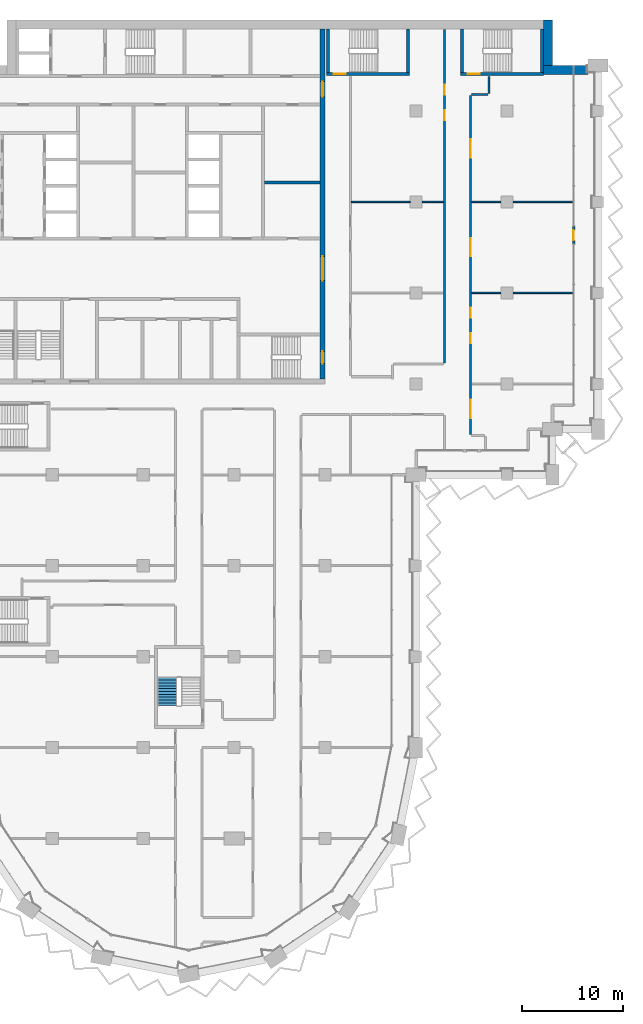
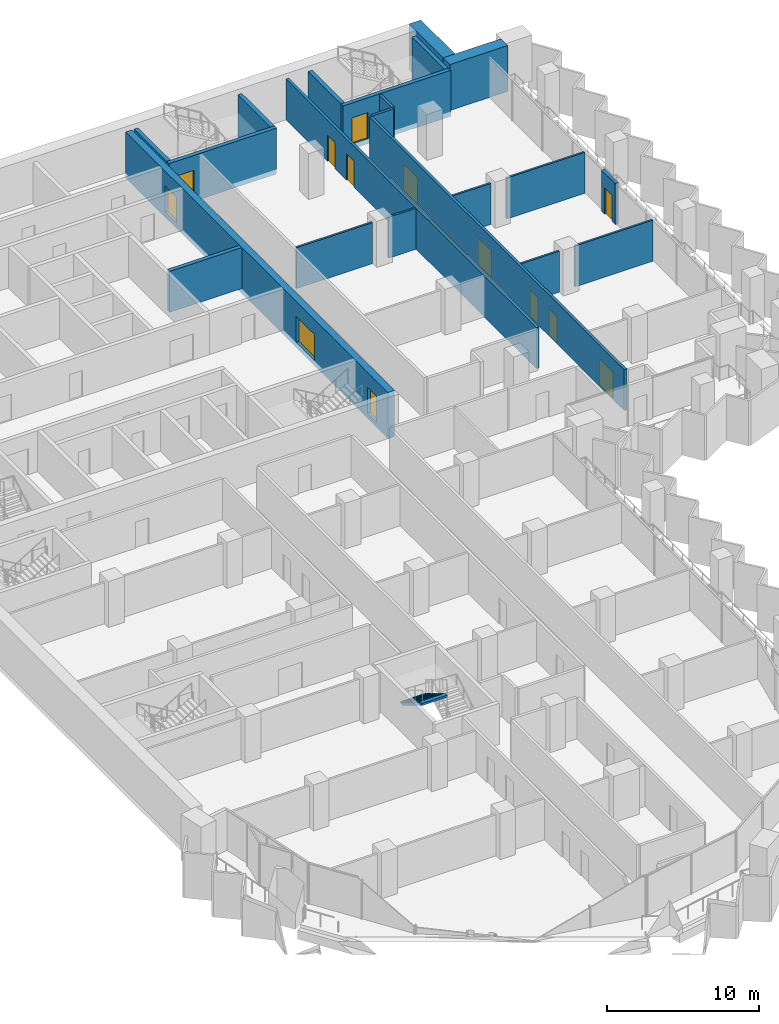
# One storey, part 15 of 23: 21 walls, 13 doors, 1 stair flight, 13 openings, 1 element without a shape of its own.
"""IFC4 building model written with IfcOpenShell, lengths in metres."""

from ifc_helpers import new_model, si_unit, direction, frame, frame_2d, origin, place, context, subcontext, project, spatial, polyline, rectangle, outline, extrude, material, layer, layer_set, type_object, element, fill, aggregate, save


model = new_model("IFC4")

# Units and contexts
model_context = context("Model", 3, precision=1e-05, world=origin(), true_north=direction((0.0, 1.0)))
body_context = subcontext(model_context, "Body", "Model", "MODEL_VIEW")
ifc_project = project(units=[si_unit("LENGTHUNIT", "METRE"), si_unit("AREAUNIT", "SQUARE_METRE"), si_unit("VOLUMEUNIT", "CUBIC_METRE"), si_unit("PLANEANGLEUNIT", "RADIAN"), si_unit("MASSUNIT", "GRAM", prefix="KILO")], contexts=[model_context])

# Site, building, storey
site_placement = place(None, origin())
site = spatial("IfcSite", under=ifc_project, at=site_placement, CompositionType="ELEMENT")
building_placement = place(site_placement, origin())
building = spatial("IfcBuilding", under=site, at=building_placement, Name="Hunhe Ridgeline Campus", CompositionType="ELEMENT")
storey_placement = place(building_placement, frame((0.0, 0.0, 167.10009765625)))
storey = spatial("IfcBuildingStorey", under=building, at=storey_placement, Name="L42", CompositionType="ELEMENT", Elevation=167.10009765625)

# Wall
ifc_material_1 = material(Name="Masonry concrete blockwork", Category="masonry")
ifc_layer_1 = layer(ifc_material_1, 0.300048828125)
ifc_layer_set_1 = layer_set([ifc_layer_1], Name="Core room partition 300 concrete block")
wall_type_1 = type_object("IfcWallType", Name="Core room partition 300 concrete block", PredefinedType="PARTITIONING", material=ifc_layer_set_1)
wall_1_placement = place(storey_placement, frame((30.0, 82.89990234375, 0.0), z_axis=(0.0, 0.0, 1.0), x_axis=(1.0, 0.0, 0.0)))
element("IfcWall", 1, at=wall_1_placement, inside=storey, type_object=wall_type_1, Name="L42 core partition 20", PredefinedType="PARTITIONING", context=body_context, shape_type="SweptSolid", body=[
    extrude(rectangle(XDim=5.5, YDim=0.300048828125, at=frame_2d((2.75, 0.0))), origin(), (0.0, 0.0, 1.0), 3.2998046875),
])

# Wall, openings, doors
ifc_material_2 = material(Name="Concrete C70", Category="concrete")
ifc_layer_2 = layer(ifc_material_2, 0.5)
ifc_layer_set_2 = layer_set([ifc_layer_2], Name="Core wall 500 reinforced concrete C70")
wall_type_2 = type_object("IfcWallType", Name="Core wall 500 reinforced concrete C70", PredefinedType="SOLIDWALL", material=ifc_layer_set_2)
wall_2_placement = place(storey_placement, frame((35.75, 63.5, -0.400146484375), z_axis=(0.0, 0.0, 1.0), x_axis=(0.0, 1.0, 0.0)))
wall_2 = element("IfcWall", 2, at=wall_2_placement, inside=storey, type_object=wall_type_2, Name="L42 core wall 60", PredefinedType="SOLIDWALL", context=body_context, shape_type="SweptSolid", body=[
    extrude(rectangle(XDim=34.60009765625, YDim=0.5, at=frame_2d((17.300048828125, 0.0))), origin(), (0.0, 0.0, 1.0), 3.699951171875),
])
opening_1_placement = place(wall_2_placement, frame((9.699951171875, 0.0, 0.39990234375)))
opening_1 = element("IfcOpeningElement", 3, at=opening_1_placement, cuts=wall_2, Name="Opening CD4", PredefinedType="OPENING", context=body_context, shape_type="SweptSolid", body=[
    extrude(rectangle(XDim=2.39990234375, YDim=2.10009765625, at=frame_2d((1.199951171875, 1.050048828125))), frame((0.0, 0.25, 0.0), z_axis=(0.0, -1.0, 0.0), x_axis=(1.0, 0.0, 0.0)), (0.0, 0.0, 1.0), 0.5),
])
opening_2_placement = place(wall_2_placement, frame((27.89990234375, 0.0, 0.39990234375)))
opening_2 = element("IfcOpeningElement", 4, at=opening_2_placement, cuts=wall_2, Name="Opening CD5", PredefinedType="OPENING", context=body_context, shape_type="SweptSolid", body=[
    extrude(rectangle(XDim=1.5, YDim=2.10009765625, at=frame_2d((0.75, 1.050048828125))), frame((0.0, 0.25, 0.0), z_axis=(0.0, -1.0, 0.0), x_axis=(1.0, 0.0, 0.0)), (0.0, 0.0, 1.0), 0.5),
])
opening_3_placement = place(wall_2_placement, frame((1.5, 0.0, 0.39990234375)))
opening_3 = element("IfcOpeningElement", 5, at=opening_3_placement, cuts=wall_2, Name="Opening CD15", PredefinedType="OPENING", context=body_context, shape_type="SweptSolid", body=[
    extrude(rectangle(XDim=1.199951171875, YDim=2.10009765625, at=frame_2d((0.60009765625, 1.050048828125))), frame((0.0, 0.25, 0.0), z_axis=(0.0, -1.0, 0.0), x_axis=(1.0, 0.0, 0.0)), (0.0, 0.0, 1.0), 0.5),
])
ifc_material_3 = material(Name="Anodised aluminium and glass", Category="aluminium")
door_type_1 = type_object("IfcDoorType", Name="Glazed double door 2400x2100", OperationType="DOUBLE_DOOR_SINGLE_SWING", PredefinedType="DOOR", material=ifc_material_3)
door_1_placement = place(opening_1_placement, frame((2.39990234375, 0.0, 0.0), z_axis=(0.0, 0.0, 1.0), x_axis=(-1.0, 0.0, 0.0)))
door_1 = element("IfcDoor", 6, at=door_1_placement, inside=storey, type_object=door_type_1, Name="L42 door HALL-FLOOR", OperationType="DOUBLE_DOOR_SINGLE_SWING", OverallHeight=2.10009765625, OverallWidth=2.39990234375, PredefinedType="DOOR", context=body_context, shape_type="SweptSolid", body=[
    extrude(rectangle(XDim=2.39990234375, YDim=2.10009765625, at=frame_2d((1.199951171875, 1.050048828125))), frame((0.0, 0.02490234375, 0.0), z_axis=(0.0, -1.0, 0.0), x_axis=(1.0, 0.0, 0.0)), (0.0, 0.0, 1.0), 0.050048828125),
])
fill(opening_1, door_1)
ifc_material_4 = material(Name="Hollow metal fire door leaf")
door_type_2 = type_object("IfcDoorType", Name="Stair door 1200x2100 FD60", OperationType="SINGLE_SWING_LEFT", PredefinedType="DOOR", material=ifc_material_4)
door_2_placement = place(opening_3_placement, frame((1.199951171875, 0.0, 0.0), z_axis=(0.0, 0.0, 1.0), x_axis=(-1.0, 0.0, 0.0)))
door_2 = element("IfcDoor", 7, at=door_2_placement, inside=storey, type_object=door_type_2, Name="L42 door S2-FLOOR", OperationType="SINGLE_SWING_RIGHT", OverallHeight=2.10009765625, OverallWidth=1.199951171875, PredefinedType="DOOR", context=body_context, shape_type="SweptSolid", body=[
    extrude(rectangle(XDim=1.199951171875, YDim=2.10009765625, at=frame_2d((0.60009765625, 1.050048828125))), frame((0.0, 0.02490234375, 0.0), z_axis=(0.0, -1.0, 0.0), x_axis=(1.0, 0.0, 0.0)), (0.0, 0.0, 1.0), 0.050048828125),
])
fill(opening_3, door_2)
ifc_material_5 = material(Name="Solid core timber door leaf", Category="wood")
door_type_3 = type_object("IfcDoorType", Name="Timber door 1500x2100", OperationType="SINGLE_SWING_LEFT", PredefinedType="DOOR", material=ifc_material_5)
door_3_placement = place(opening_2_placement, frame((1.5, 0.0, 0.0), z_axis=(0.0, 0.0, 1.0), x_axis=(-1.0, 0.0, 0.0)))
door_3 = element("IfcDoor", 8, at=door_3_placement, inside=storey, type_object=door_type_3, Name="L42 door C1-FLOOR", OperationType="SINGLE_SWING_RIGHT", OverallHeight=2.10009765625, OverallWidth=1.5, PredefinedType="DOOR", context=body_context, shape_type="SweptSolid", body=[
    extrude(rectangle(XDim=1.5, YDim=2.10009765625, at=frame_2d((0.75, 1.050048828125))), frame((0.0, 0.02490234375, 0.0), z_axis=(0.0, -1.0, 0.0), x_axis=(1.0, 0.0, 0.0)), (0.0, 0.0, 1.0), 0.050048828125),
])
fill(opening_2, door_3)

# Wall
ifc_material_6 = material(Name="Gypsum board partition")
ifc_layer_3 = layer(ifc_material_6, 0.199951171875)
ifc_layer_set_3 = layer_set([ifc_layer_3], Name="Corridor partition 200 gypsum board on steel studs")
wall_type_3 = type_object("IfcWallType", Name="Corridor partition 200 gypsum board on steel studs", PredefinedType="PARTITIONING", material=ifc_layer_set_3)
wall_3_placement = place(storey_placement, frame((52.10009765625, 91.64990234375, 0.0), z_axis=(0.0, 0.0, 1.0), x_axis=(-1.0, 0.0, 0.0)))
element("IfcWall", 9, at=wall_3_placement, inside=storey, type_object=wall_type_3, Name="F-L42-wall-060", PredefinedType="PARTITIONING", context=body_context, shape_type="SweptSolid", body=[
    extrude(rectangle(XDim=1.60009765625, YDim=0.199951171875, at=frame_2d((0.800048828125, 0.0))), origin(), (0.0, 0.0, 1.0), 3.2998046875),
])

# Wall, openings, doors
wall_4_placement = place(storey_placement, frame((47.800048828125, 65.050048828125, 0.0), z_axis=(0.0, 0.0, 1.0), x_axis=(0.0, 1.0, 0.0)))
wall_4 = element("IfcWall", 10, at=wall_4_placement, inside=storey, type_object=wall_type_3, Name="F-L42-wall-077", PredefinedType="PARTITIONING", context=body_context, shape_type="SweptSolid", body=[
    extrude(rectangle(XDim=33.030029296875, YDim=0.199951171875, at=frame_2d((16.51513671875, 0.0))), origin(), (0.0, 0.0, 1.0), 3.2998046875),
])
opening_4_placement = place(wall_4_placement, frame((24.0341796875, 0.0, 0.0)))
opening_4 = element("IfcOpeningElement", 11, at=opening_4_placement, cuts=wall_4, Name="Opening RD1-035", PredefinedType="OPENING", context=body_context, shape_type="SweptSolid", body=[
    extrude(rectangle(XDim=1.0, YDim=2.10009765625, at=frame_2d((0.5, 1.050048828125))), frame((0.0, 0.10009765625, 0.0), z_axis=(0.0, -1.0, 0.0), x_axis=(1.0, 0.0, 0.0)), (0.0, 0.0, 1.0), 0.199951171875),
])
opening_5_placement = place(wall_4_placement, frame((26.5341796875, 0.0, 0.0)))
opening_5 = element("IfcOpeningElement", 12, at=opening_5_placement, cuts=wall_4, Name="Opening RD1-036", PredefinedType="OPENING", context=body_context, shape_type="SweptSolid", body=[
    extrude(rectangle(XDim=1.0, YDim=2.10009765625, at=frame_2d((0.5, 1.050048828125))), frame((0.0, 0.10009765625, 0.0), z_axis=(0.0, -1.0, 0.0), x_axis=(1.0, 0.0, 0.0)), (0.0, 0.0, 1.0), 0.199951171875),
])
ifc_material_7 = material(Name="Timber door leaf", Category="wood")
door_type_4 = type_object("IfcDoorType", Name="Single fire door 1000x2100 timber FD60", OperationType="NOTDEFINED", PredefinedType="DOOR", material=ifc_material_7)
door_4_placement = place(opening_4_placement, frame((1.0, 0.0, 0.0), z_axis=(0.0, 0.0, 1.0), x_axis=(-1.0, 0.0, 0.0)))
door_4 = element("IfcDoor", 13, at=door_4_placement, inside=storey, type_object=door_type_4, Name="F-L42-door-035", OperationType="SINGLE_SWING_LEFT", OverallHeight=2.10009765625, OverallWidth=1.0, PredefinedType="DOOR", context=body_context, shape_type="SweptSolid", body=[
    extrude(rectangle(XDim=1.0, YDim=2.10009765625, at=frame_2d((0.5, 1.050048828125))), frame((0.0, 0.02490234375, 0.0), z_axis=(0.0, -1.0, 0.0), x_axis=(1.0, 0.0, 0.0)), (0.0, 0.0, 1.0), 0.050048828125),
])
fill(opening_4, door_4)
door_5_placement = place(opening_5_placement, frame((1.0, 0.0, 0.0), z_axis=(0.0, 0.0, 1.0), x_axis=(-1.0, 0.0, 0.0)))
door_5 = element("IfcDoor", 14, at=door_5_placement, inside=storey, type_object=door_type_4, Name="F-L42-door-036", OperationType="SINGLE_SWING_LEFT", OverallHeight=2.10009765625, OverallWidth=1.0, PredefinedType="DOOR", context=body_context, shape_type="SweptSolid", body=[
    extrude(rectangle(XDim=1.0, YDim=2.10009765625, at=frame_2d((0.5, 1.050048828125))), frame((0.0, 0.02490234375, 0.0), z_axis=(0.0, -1.0, 0.0), x_axis=(1.0, 0.0, 0.0)), (0.0, 0.0, 1.0), 0.050048828125),
])
fill(opening_5, door_5)

wall_5_placement = place(storey_placement, frame((50.39990234375, 91.550048828125, 0.0), z_axis=(0.0, 0.0, 1.0), x_axis=(0.0, -1.0, 0.0)))
wall_5 = element("IfcWall", 15, at=wall_5_placement, inside=storey, type_object=wall_type_3, Name="F-L42-wall-078", PredefinedType="PARTITIONING", context=body_context, shape_type="SweptSolid", body=[
    extrude(rectangle(XDim=33.549072265625, YDim=0.199951171875, at=frame_2d((16.7744140625, 0.0))), origin(), (0.0, 0.0, 1.0), 3.2998046875),
])
opening_6_placement = place(wall_5_placement, frame((30.145263671875, 0.0, 0.0)))
opening_6 = element("IfcOpeningElement", 16, at=opening_6_placement, cuts=wall_5, Name="Opening RD2-026", PredefinedType="OPENING", context=body_context, shape_type="SweptSolid", body=[
    extrude(rectangle(XDim=1.800048828125, YDim=2.10009765625, at=frame_2d((0.89990234375, 1.050048828125))), frame((0.0, 0.10009765625, 0.0), z_axis=(0.0, -1.0, 0.0), x_axis=(1.0, 0.0, 0.0)), (0.0, 0.0, 1.0), 0.199951171875),
])
opening_7_placement = place(wall_5_placement, frame((23.53515625, 0.0, 0.0)))
opening_7 = element("IfcOpeningElement", 17, at=opening_7_placement, cuts=wall_5, Name="Opening RD1-027", PredefinedType="OPENING", context=body_context, shape_type="SweptSolid", body=[
    extrude(rectangle(XDim=1.0, YDim=2.10009765625, at=frame_2d((0.5, 1.050048828125))), frame((0.0, 0.10009765625, 0.0), z_axis=(0.0, -1.0, 0.0), x_axis=(1.0, 0.0, 0.0)), (0.0, 0.0, 1.0), 0.199951171875),
])
opening_8_placement = place(wall_5_placement, frame((21.03515625, 0.0, 0.0)))
opening_8 = element("IfcOpeningElement", 18, at=opening_8_placement, cuts=wall_5, Name="Opening RD1-029", PredefinedType="OPENING", context=body_context, shape_type="SweptSolid", body=[
    extrude(rectangle(XDim=1.0, YDim=2.10009765625, at=frame_2d((0.5, 1.050048828125))), frame((0.0, 0.10009765625, 0.0), z_axis=(0.0, -1.0, 0.0), x_axis=(1.0, 0.0, 0.0)), (0.0, 0.0, 1.0), 0.199951171875),
])
opening_9_placement = place(wall_5_placement, frame((14.121826171875, 0.0, 0.0)))
opening_9 = element("IfcOpeningElement", 19, at=opening_9_placement, cuts=wall_5, Name="Opening RD2-031", PredefinedType="OPENING", context=body_context, shape_type="SweptSolid", body=[
    extrude(rectangle(XDim=1.800048828125, YDim=2.10009765625, at=frame_2d((0.89990234375, 1.050048828125))), frame((0.0, 0.10009765625, 0.0), z_axis=(0.0, -1.0, 0.0), x_axis=(1.0, 0.0, 0.0)), (0.0, 0.0, 1.0), 0.199951171875),
])
opening_10_placement = place(wall_5_placement, frame((4.357666015625, 0.0, 0.0)))
opening_10 = element("IfcOpeningElement", 20, at=opening_10_placement, cuts=wall_5, Name="Opening RD2-034", PredefinedType="OPENING", context=body_context, shape_type="SweptSolid", body=[
    extrude(rectangle(XDim=1.800048828125, YDim=2.10009765625, at=frame_2d((0.89990234375, 1.050048828125))), frame((0.0, 0.10009765625, 0.0), z_axis=(0.0, -1.0, 0.0), x_axis=(1.0, 0.0, 0.0)), (0.0, 0.0, 1.0), 0.199951171875),
])
door_type_5 = type_object("IfcDoorType", Name="Double fire door 1800x2100 timber FD60", OperationType="DOUBLE_DOOR_SINGLE_SWING", PredefinedType="DOOR", material=ifc_material_7)
door_6_placement = place(opening_6_placement, origin())
door_6 = element("IfcDoor", 21, at=door_6_placement, inside=storey, type_object=door_type_5, Name="F-L42-door-026", OperationType="DOUBLE_DOOR_SINGLE_SWING", OverallHeight=2.10009765625, OverallWidth=1.800048828125, PredefinedType="DOOR", context=body_context, shape_type="SweptSolid", body=[
    extrude(rectangle(XDim=1.800048828125, YDim=2.10009765625, at=frame_2d((0.89990234375, 1.050048828125))), frame((0.0, 0.02490234375, 0.0), z_axis=(0.0, -1.0, 0.0), x_axis=(1.0, 0.0, 0.0)), (0.0, 0.0, 1.0), 0.050048828125),
])
fill(opening_6, door_6)
door_7_placement = place(opening_9_placement, origin())
door_7 = element("IfcDoor", 22, at=door_7_placement, inside=storey, type_object=door_type_5, Name="F-L42-door-031", OperationType="DOUBLE_DOOR_SINGLE_SWING", OverallHeight=2.10009765625, OverallWidth=1.800048828125, PredefinedType="DOOR", context=body_context, shape_type="SweptSolid", body=[
    extrude(rectangle(XDim=1.800048828125, YDim=2.10009765625, at=frame_2d((0.89990234375, 1.050048828125))), frame((0.0, 0.02490234375, 0.0), z_axis=(0.0, -1.0, 0.0), x_axis=(1.0, 0.0, 0.0)), (0.0, 0.0, 1.0), 0.050048828125),
])
fill(opening_9, door_7)
door_8_placement = place(opening_10_placement, origin())
door_8 = element("IfcDoor", 23, at=door_8_placement, inside=storey, type_object=door_type_5, Name="F-L42-door-034", OperationType="DOUBLE_DOOR_SINGLE_SWING", OverallHeight=2.10009765625, OverallWidth=1.800048828125, PredefinedType="DOOR", context=body_context, shape_type="SweptSolid", body=[
    extrude(rectangle(XDim=1.800048828125, YDim=2.10009765625, at=frame_2d((0.89990234375, 1.050048828125))), frame((0.0, 0.02490234375, 0.0), z_axis=(0.0, -1.0, 0.0), x_axis=(1.0, 0.0, 0.0)), (0.0, 0.0, 1.0), 0.050048828125),
])
fill(opening_10, door_8)
door_9_placement = place(opening_7_placement, frame((1.0, 0.0, 0.0), z_axis=(0.0, 0.0, 1.0), x_axis=(-1.0, 0.0, 0.0)))
door_9 = element("IfcDoor", 24, at=door_9_placement, inside=storey, type_object=door_type_4, Name="F-L42-door-027", OperationType="SINGLE_SWING_LEFT", OverallHeight=2.10009765625, OverallWidth=1.0, PredefinedType="DOOR", context=body_context, shape_type="SweptSolid", body=[
    extrude(rectangle(XDim=1.0, YDim=2.10009765625, at=frame_2d((0.5, 1.050048828125))), frame((0.0, 0.02490234375, 0.0), z_axis=(0.0, -1.0, 0.0), x_axis=(1.0, 0.0, 0.0)), (0.0, 0.0, 1.0), 0.050048828125),
])
fill(opening_7, door_9)
door_10_placement = place(opening_8_placement, frame((1.0, 0.0, 0.0), z_axis=(0.0, 0.0, 1.0), x_axis=(-1.0, 0.0, 0.0)))
door_10 = element("IfcDoor", 25, at=door_10_placement, inside=storey, type_object=door_type_4, Name="F-L42-door-029", OperationType="SINGLE_SWING_RIGHT", OverallHeight=2.10009765625, OverallWidth=1.0, PredefinedType="DOOR", context=body_context, shape_type="SweptSolid", body=[
    extrude(rectangle(XDim=1.0, YDim=2.10009765625, at=frame_2d((0.5, 1.050048828125))), frame((0.0, 0.02490234375, 0.0), z_axis=(0.0, -1.0, 0.0), x_axis=(1.0, 0.0, 0.0)), (0.0, 0.0, 1.0), 0.050048828125),
])
fill(opening_8, door_10)

# Wall
wall_6_placement = place(storey_placement, frame((52.199951171875, 93.39599609375, 0.0), z_axis=(0.0, 0.0, 1.0), x_axis=(0.0, -1.0, 0.0)))
element("IfcWall", 26, at=wall_6_placement, inside=storey, type_object=wall_type_3, Name="F-L42-wall-080", PredefinedType="PARTITIONING", context=body_context, shape_type="SweptSolid", body=[
    extrude(rectangle(XDim=1.64599609375, YDim=0.199951171875, at=frame_2d((0.822998046875, 0.0))), origin(), (0.0, 0.0, 1.0), 3.2998046875),
])

# Wall, opening, door
ifc_material_8 = material(Name="Concrete C30", Category="concrete")
ifc_layer_4 = layer(ifc_material_8, 0.25)
ifc_layer_set_4 = layer_set([ifc_layer_4], Name="Loggia door pier wall 250 Concrete C30")
wall_type_4 = type_object("IfcWallType", Name="Loggia door pier wall 250 Concrete C30", PredefinedType="SOLIDWALL", material=ifc_layer_set_4)
wall_7_placement = place(storey_placement, frame((60.59912109375, 76.800537109375, 0.0), z_axis=(0.0, 0.0, 1.0), x_axis=(0.0, 1.0, 0.0)))
wall_7 = element("IfcWall", 27, at=wall_7_placement, inside=storey, type_object=wall_type_4, Name="Loggia door pier 4", PredefinedType="SOLIDWALL", context=body_context, shape_type="SweptSolid", body=[
    extrude(rectangle(XDim=1.800048828125, YDim=0.25, at=frame_2d((0.89990234375, 0.0))), origin(), (0.0, 0.0, 1.0), 3.2998046875),
])
opening_11_placement = place(wall_7_placement, frame((0.39990234375, 0.0, 0.0)))
opening_11 = element("IfcOpeningElement", 28, at=opening_11_placement, cuts=wall_7, Name="Opening BD307", PredefinedType="OPENING", context=body_context, shape_type="SweptSolid", body=[
    extrude(rectangle(XDim=1.0, YDim=2.10009765625, at=frame_2d((0.5, 1.050048828125))), frame((0.0, 0.125, 0.0), z_axis=(0.0, -1.0, 0.0), x_axis=(1.0, 0.0, 0.0)), (0.0, 0.0, 1.0), 0.25),
])
ifc_material_9 = material(Name="Aluminium 6063", Category="aluminium")
door_type_6 = type_object("IfcDoorType", Name="Loggia glazed door 1000x2100", OperationType="NOTDEFINED", PredefinedType="DOOR", material=ifc_material_9)
door_11_placement = place(opening_11_placement, frame((1.0, 0.0, 0.0), z_axis=(0.0, 0.0, 1.0), x_axis=(-1.0, 0.0, 0.0)))
door_11 = element("IfcDoor", 29, at=door_11_placement, inside=storey, type_object=door_type_6, Name="Loggia door BD307", OperationType="SINGLE_SWING_RIGHT", OverallHeight=2.10009765625, OverallWidth=1.0, PredefinedType="DOOR", context=body_context, shape_type="SweptSolid", body=[
    extrude(rectangle(XDim=1.0, YDim=2.10009765625, at=frame_2d((0.5, 1.050048828125))), frame((0.0, 0.02490234375, 0.0), z_axis=(0.0, -1.0, 0.0), x_axis=(1.0, 0.0, 0.0)), (0.0, 0.0, 1.0), 0.050048828125),
])
fill(opening_11, door_11)

# Walls
ifc_layer_5 = layer(ifc_material_6, 0.14990234375)
ifc_layer_set_5 = layer_set([ifc_layer_5], Name="Room partition 150 gypsum board on steel studs")
wall_type_5 = type_object("IfcWallType", Name="Room partition 150 gypsum board on steel studs", PredefinedType="PARTITIONING", material=ifc_layer_set_5)
wall_8_placement = place(storey_placement, frame((50.5, 72.0, 0.0), z_axis=(0.0, 0.0, 1.0), x_axis=(1.0, 0.0, 0.0)))
element("IfcWall", 30, at=wall_8_placement, inside=storey, type_object=wall_type_5, Name="F-L42-wall-054", PredefinedType="PARTITIONING", context=body_context, shape_type="SweptSolid", body=[
    extrude(rectangle(XDim=2.89990234375, YDim=0.14990234375, at=frame_2d((1.449951171875, 0.0))), origin(), (0.0, 0.0, 1.0), 3.2998046875),
])
wall_9_placement = place(storey_placement, frame((54.60009765625, 72.0, 0.0), z_axis=(0.0, 0.0, 1.0), x_axis=(1.0, 0.0, 0.0)))
element("IfcWall", 31, at=wall_9_placement, inside=storey, type_object=wall_type_5, Name="F-L42-wall-055", PredefinedType="PARTITIONING", context=body_context, shape_type="SweptSolid", body=[
    extrude(rectangle(XDim=5.94482421875, YDim=0.14990234375, at=frame_2d((2.972412109375, 0.0))), origin(), (0.0, 0.0, 1.0), 3.2998046875),
])
wall_10_placement = place(storey_placement, frame((38.60009765625, 81.0, 0.0), z_axis=(0.0, 0.0, 1.0), x_axis=(1.0, 0.0, 0.0)))
element("IfcWall", 32, at=wall_10_placement, inside=storey, type_object=wall_type_5, Name="F-L42-wall-056", PredefinedType="PARTITIONING", context=body_context, shape_type="SweptSolid", body=[
    extrude(rectangle(XDim=5.7998046875, YDim=0.14990234375, at=frame_2d((2.89990234375, 0.0))), origin(), (0.0, 0.0, 1.0), 3.2998046875),
])
wall_11_placement = place(storey_placement, frame((45.60009765625, 81.0, 0.0), z_axis=(0.0, 0.0, 1.0), x_axis=(1.0, 0.0, 0.0)))
element("IfcWall", 33, at=wall_11_placement, inside=storey, type_object=wall_type_5, Name="F-L42-wall-057", PredefinedType="PARTITIONING", context=body_context, shape_type="SweptSolid", body=[
    extrude(rectangle(XDim=2.099853515625, YDim=0.14990234375, at=frame_2d((1.0498046875, 0.0))), origin(), (0.0, 0.0, 1.0), 3.2998046875),
])
wall_12_placement = place(storey_placement, frame((50.5, 81.0, 0.0), z_axis=(0.0, 0.0, 1.0), x_axis=(1.0, 0.0, 0.0)))
element("IfcWall", 34, at=wall_12_placement, inside=storey, type_object=wall_type_5, Name="F-L42-wall-058", PredefinedType="PARTITIONING", context=body_context, shape_type="SweptSolid", body=[
    extrude(rectangle(XDim=2.89990234375, YDim=0.14990234375, at=frame_2d((1.449951171875, 0.0))), origin(), (0.0, 0.0, 1.0), 3.2998046875),
])
wall_13_placement = place(storey_placement, frame((54.60009765625, 81.0, 0.0), z_axis=(0.0, 0.0, 1.0), x_axis=(1.0, 0.0, 0.0)))
element("IfcWall", 35, at=wall_13_placement, inside=storey, type_object=wall_type_5, Name="F-L42-wall-059", PredefinedType="PARTITIONING", context=body_context, shape_type="SweptSolid", body=[
    extrude(rectangle(XDim=5.94482421875, YDim=0.14990234375, at=frame_2d((2.972412109375, 0.0))), origin(), (0.0, 0.0, 1.0), 3.2998046875),
])
ifc_layer_6 = layer(ifc_material_2, 0.89990234375)
ifc_layer_set_6 = layer_set([ifc_layer_6], Name="Spine wall 900 Concrete C70")
wall_type_6 = type_object("IfcWallType", Name="Spine wall 900 Concrete C70", PredefinedType="SHEAR", material=ifc_layer_set_6)
wall_14_placement = place(storey_placement, frame((62.0, 94.050048828125, 0.0), z_axis=(0.0, 0.0, 1.0), x_axis=(-1.0, 0.0, 0.0)))
element("IfcWall", 36, at=wall_14_placement, inside=storey, type_object=wall_type_6, Name="Spine wall SW2-2 L42", PredefinedType="SHEAR", context=body_context, shape_type="SweptSolid", body=[
    extrude(rectangle(XDim=4.400390625, YDim=0.89990234375, at=frame_2d((2.2001953125, 0.0))), origin(), (0.0, 0.0, 1.0), 3.699951171875),
])
wall_15_placement = place(storey_placement, frame((58.050048828125, 93.60009765625, 0.0), z_axis=(0.0, 0.0, 1.0), x_axis=(0.0, 1.0, 0.0)))
element("IfcWall", 37, at=wall_15_placement, inside=storey, type_object=wall_type_6, Name="Spine wall SW2-3 L42", PredefinedType="SHEAR", context=body_context, shape_type="SweptSolid", body=[
    extrude(rectangle(XDim=5.39990234375, YDim=0.89990234375, at=frame_2d((2.699951171875, 0.0))), origin(), (0.0, 0.0, 1.0), 3.699951171875),
])

# Wall, opening, door
ifc_layer_7 = layer(ifc_material_2, 0.300048828125)
ifc_layer_set_7 = layer_set([ifc_layer_7], Name="Stair wall 300 reinforced concrete C70")
wall_type_7 = type_object("IfcWallType", Name="Stair wall 300 reinforced concrete C70", PredefinedType="SOLIDWALL", material=ifc_layer_set_7)
wall_16_placement = place(storey_placement, frame((36.14990234375, 93.64990234375, -0.400146484375), z_axis=(0.0, 0.0, 1.0), x_axis=(1.0, 0.0, 0.0)))
wall_16 = element("IfcWall", 38, at=wall_16_placement, inside=storey, type_object=wall_type_7, Name="L42 core wall 30", PredefinedType="SOLIDWALL", context=body_context, shape_type="SweptSolid", body=[
    extrude(rectangle(XDim=8.2001953125, YDim=0.300048828125, at=frame_2d((4.10009765625, 0.0))), origin(), (0.0, 0.0, 1.0), 3.699951171875),
])
opening_12_placement = place(wall_16_placement, frame((0.699951171875, 0.0, 0.39990234375)))
opening_12 = element("IfcOpeningElement", 39, at=opening_12_placement, cuts=wall_16, Name="Opening CD17", PredefinedType="OPENING", context=body_context, shape_type="SweptSolid", body=[
    extrude(rectangle(XDim=1.199951171875, YDim=2.10009765625, at=frame_2d((0.60009765625, 1.050048828125))), frame((0.0, 0.14990234375, 0.0), z_axis=(0.0, -1.0, 0.0), x_axis=(1.0, 0.0, 0.0)), (0.0, 0.0, 1.0), 0.300048828125),
])
door_12_placement = place(opening_12_placement, frame((1.199951171875, 0.0, 0.0), z_axis=(0.0, 0.0, 1.0), x_axis=(-1.0, 0.0, 0.0)))
door_12 = element("IfcDoor", 40, at=door_12_placement, inside=storey, type_object=door_type_2, Name="L42 door E1", OperationType="SINGLE_SWING_RIGHT", OverallHeight=2.10009765625, OverallWidth=1.199951171875, PredefinedType="DOOR", context=body_context, shape_type="SweptSolid", body=[
    extrude(rectangle(XDim=1.199951171875, YDim=2.10009765625, at=frame_2d((0.60009765625, 1.050048828125))), frame((0.0, 0.02490234375, 0.0), z_axis=(0.0, -1.0, 0.0), x_axis=(1.0, 0.0, 0.0)), (0.0, 0.0, 1.0), 0.050048828125),
])
fill(opening_12, door_12)

wall_17_placement = place(storey_placement, frame((49.39990234375, 93.64990234375, -0.400146484375), z_axis=(0.0, 0.0, 1.0), x_axis=(1.0, 0.0, 0.0)))
wall_17 = element("IfcWall", 41, at=wall_17_placement, inside=storey, type_object=wall_type_7, Name="L42 core wall 31", PredefinedType="SOLIDWALL", context=body_context, shape_type="SweptSolid", body=[
    extrude(rectangle(XDim=8.2001953125, YDim=0.300048828125, at=frame_2d((4.10009765625, 0.0))), origin(), (0.0, 0.0, 1.0), 3.699951171875),
])
opening_13_placement = place(wall_17_placement, frame((0.699951171875, 0.0, 0.39990234375)))
opening_13 = element("IfcOpeningElement", 42, at=opening_13_placement, cuts=wall_17, Name="Opening CD18", PredefinedType="OPENING", context=body_context, shape_type="SweptSolid", body=[
    extrude(rectangle(XDim=1.199951171875, YDim=2.10009765625, at=frame_2d((0.60009765625, 1.050048828125))), frame((0.0, 0.14990234375, 0.0), z_axis=(0.0, -1.0, 0.0), x_axis=(1.0, 0.0, 0.0)), (0.0, 0.0, 1.0), 0.300048828125),
])
door_13_placement = place(opening_13_placement, frame((1.199951171875, 0.0, 0.0), z_axis=(0.0, 0.0, 1.0), x_axis=(-1.0, 0.0, 0.0)))
door_13 = element("IfcDoor", 43, at=door_13_placement, inside=storey, type_object=door_type_2, Name="L42 door E2", OperationType="SINGLE_SWING_LEFT", OverallHeight=2.10009765625, OverallWidth=1.199951171875, PredefinedType="DOOR", context=body_context, shape_type="SweptSolid", body=[
    extrude(rectangle(XDim=1.199951171875, YDim=2.10009765625, at=frame_2d((0.60009765625, 1.050048828125))), frame((0.0, 0.02490234375, 0.0), z_axis=(0.0, -1.0, 0.0), x_axis=(1.0, 0.0, 0.0)), (0.0, 0.0, 1.0), 0.050048828125),
])
fill(opening_13, door_13)

# Walls
for number, where, z_axis, x_axis, name in (
    (44, (36.300048828125, 93.800048828125, -0.400146484375), (0.0, 0.0, 1.0), (0.0, 1.0, 0.0), "L42 core wall 61"),
    (45, (44.199951171875, 93.800048828125, -0.400146484375), (0.0, 0.0, 1.0), (0.0, 1.0, 0.0), "L42 core wall 62"),
    (46, (49.550048828125, 93.800048828125, -0.400146484375), (0.0, 0.0, 1.0), (0.0, 1.0, 0.0), "L42 core wall 63"),
    (47, (57.449951171875, 93.800048828125, -0.400146484375), (0.0, 0.0, 1.0), (0.0, 1.0, 0.0), "L42 core wall 64"),
):
    element("IfcWall", number, at=place(storey_placement, frame(where, z_axis=z_axis, x_axis=x_axis)), inside=storey, type_object=wall_type_7, Name=name, PredefinedType="SOLIDWALL", context=body_context, shape_type="SweptSolid", body=[
        extrude(rectangle(XDim=4.300048828125, YDim=0.300048828125, at=frame_2d((2.14990234375, 0.0))), origin(), (0.0, 0.0, 1.0), 3.699951171875),
    ])

# Stair, stair flight
ifc_material_10 = material(Name="Concrete C40", Category="concrete")
stair_type = type_object("IfcStairType", Name="Reinforced concrete dog-leg stair 1950 Concrete C40", PredefinedType="HALF_TURN_STAIR", material=ifc_material_10)
stair_placement = place(storey_placement, origin())
stair = element("IfcStair", 48, at=stair_placement, inside=storey, type_object=stair_type, Name="L42 W3", PredefinedType="HALF_TURN_STAIR")
stair_flight_type = type_object("IfcStairFlightType", Name="Reinforced concrete stair flight 1950 Concrete C40", PredefinedType="STRAIGHT", material=ifc_material_10)
stair_flight_placement = place(storey_placement, frame((20.375, 33.949951171875, 1.849853515625), z_axis=(0.0, 0.0, 1.0), x_axis=(0.0, -1.0, 0.0)))
stair_flight = element("IfcStairFlight", 49, at=stair_flight_placement, type_object=stair_flight_type, Name="ST9 flight 2", NumberOfRisers=11, NumberOfTreads=10, PredefinedType="STRAIGHT", RiserHeight=0.168181818, TreadLength=0.28, context=body_context, shape_type="SweptSolid", body=[
    extrude(outline(polyline([(0.0, 0.0), (0.0, 0.168212890625), (0.280029296875, 0.168212890625), (0.280029296875, 0.33642578125), (0.56005859375, 0.33642578125), (0.56005859375, 0.504638671875), (0.840087890625, 0.504638671875), (0.840087890625, 0.672607421875), (1.1201171875, 0.672607421875), (1.1201171875, 0.8408203125), (1.39990234375, 0.8408203125), (1.39990234375, 1.009033203125), (1.679931640625, 1.009033203125), (1.679931640625, 1.17724609375), (1.9599609375, 1.17724609375), (1.9599609375, 1.345458984375), (2.239990234375, 1.345458984375), (2.239990234375, 1.513671875), (2.52001953125, 1.513671875), (2.52001953125, 1.681884765625), (2.800048828125, 1.681884765625), (2.800048828125, 1.85009765625), (2.800048828125, 1.5068359375), (0.291015625, 0.0), (0.0, 0.0)])), frame((0.0, 0.97509765625, 0.0), z_axis=(0.0, -1.0, 0.0), x_axis=(1.0, 0.0, 0.0)), (0.0, 0.0, 1.0), 1.949951171875),
    extrude(outline(polyline([(0.030029296875, 0.030029296875), (0.030029296875, 0.13818359375), (0.31005859375, 0.13818359375), (0.31005859375, 0.306396484375), (0.590087890625, 0.306396484375), (0.590087890625, 0.474609375), (0.8701171875, 0.474609375), (0.8701171875, 0.642578125), (1.14990234375, 0.642578125), (1.14990234375, 0.810791015625), (1.429931640625, 0.810791015625), (1.429931640625, 0.97900390625), (1.7099609375, 0.97900390625), (1.7099609375, 1.147216796875), (1.989990234375, 1.147216796875), (1.989990234375, 1.3154296875), (2.27001953125, 1.3154296875), (2.27001953125, 1.483642578125), (2.550048828125, 1.483642578125), (2.550048828125, 1.65185546875), (2.77001953125, 1.65185546875), (2.77001953125, 1.52392578125), (0.28271484375, 0.030029296875), (0.030029296875, 0.030029296875)])), frame((0.0, -0.070068359375, 0.0), z_axis=(0.0, -1.0, 0.0), x_axis=(1.0, 0.0, 0.0)), (0.0, 0.0, 1.0), 0.019775390625),
    extrude(outline(polyline([(0.030029296875, 0.030029296875), (0.030029296875, 0.13818359375), (0.31005859375, 0.13818359375), (0.31005859375, 0.306396484375), (0.590087890625, 0.306396484375), (0.590087890625, 0.474609375), (0.8701171875, 0.474609375), (0.8701171875, 0.642578125), (1.14990234375, 0.642578125), (1.14990234375, 0.810791015625), (1.429931640625, 0.810791015625), (1.429931640625, 0.97900390625), (1.7099609375, 0.97900390625), (1.7099609375, 1.147216796875), (1.989990234375, 1.147216796875), (1.989990234375, 1.3154296875), (2.27001953125, 1.3154296875), (2.27001953125, 1.483642578125), (2.550048828125, 1.483642578125), (2.550048828125, 1.65185546875), (2.77001953125, 1.65185546875), (2.77001953125, 1.52392578125), (0.28271484375, 0.030029296875), (0.030029296875, 0.030029296875)])), frame((0.0, 0.010009765625, 0.0), z_axis=(0.0, -1.0, 0.0), x_axis=(1.0, 0.0, 0.0)), (0.0, 0.0, 1.0), 0.019775390625),
    extrude(outline(polyline([(0.030029296875, 0.030029296875), (0.030029296875, 0.13818359375), (0.31005859375, 0.13818359375), (0.31005859375, 0.306396484375), (0.590087890625, 0.306396484375), (0.590087890625, 0.474609375), (0.8701171875, 0.474609375), (0.8701171875, 0.642578125), (1.14990234375, 0.642578125), (1.14990234375, 0.810791015625), (1.429931640625, 0.810791015625), (1.429931640625, 0.97900390625), (1.7099609375, 0.97900390625), (1.7099609375, 1.147216796875), (1.989990234375, 1.147216796875), (1.989990234375, 1.3154296875), (2.27001953125, 1.3154296875), (2.27001953125, 1.483642578125), (2.550048828125, 1.483642578125), (2.550048828125, 1.65185546875), (2.77001953125, 1.65185546875), (2.77001953125, 1.52392578125), (0.28271484375, 0.030029296875), (0.030029296875, 0.030029296875)])), frame((0.0, 0.090087890625, 0.0), z_axis=(0.0, -1.0, 0.0), x_axis=(1.0, 0.0, 0.0)), (0.0, 0.0, 1.0), 0.019775390625),
])
aggregate(stair, [stair_flight])

save(model, "model.ifc")
